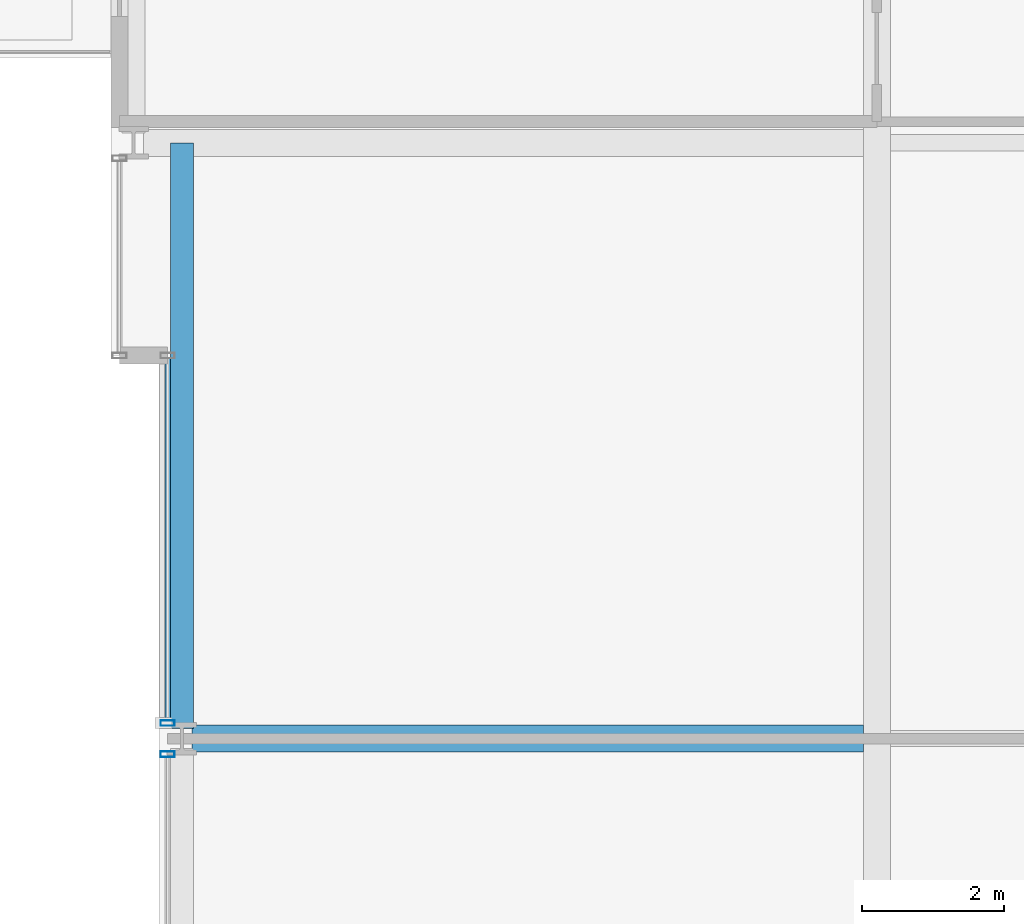
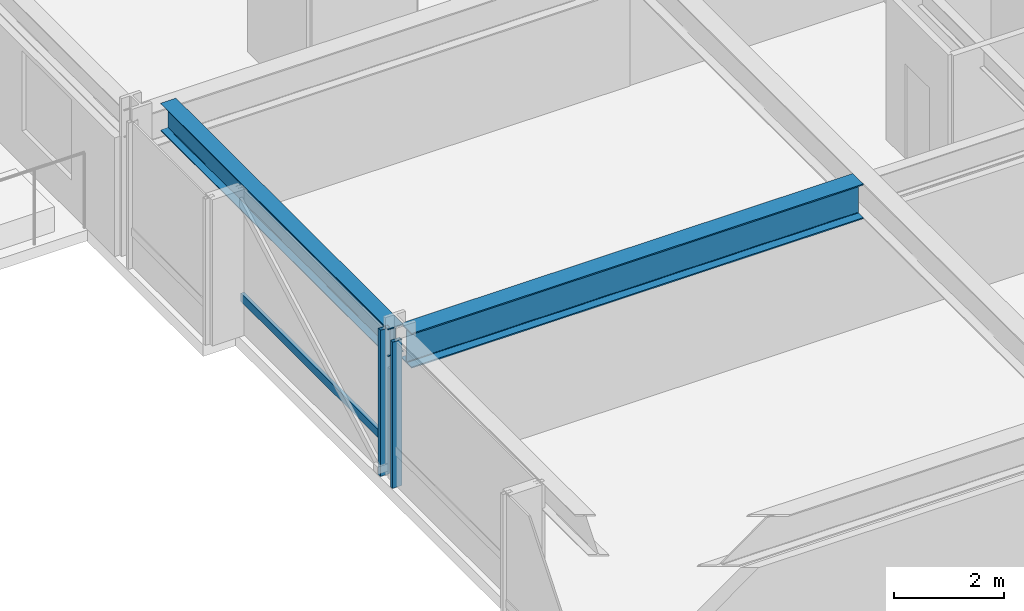
# One storey, part 9 of 34: 3 members, 2 beams, 2 elements without a shape of their own.
"""IFC4 building model written with IfcOpenShell, lengths in metres."""

from ifc_helpers import new_model, si_unit, direction, frame, origin, origin_2d, place, context, subcontext, project, spatial, hollow_rectangle, i_section, extrude, material, layer, layer_set, material_profile, profile_set, type_object, element, aggregate, save


model = new_model("IFC4")

# Units and contexts
model_context = context("Model", 3, precision=1e-05, world=origin(), true_north=direction((0.0, 1.0)))
body_context = subcontext(model_context, "Body", "Model", "MODEL_VIEW")
ifc_project = project(units=[si_unit("LENGTHUNIT", "METRE"), si_unit("AREAUNIT", "SQUARE_METRE"), si_unit("VOLUMEUNIT", "CUBIC_METRE"), si_unit("PLANEANGLEUNIT", "RADIAN"), si_unit("MASSUNIT", "GRAM", prefix="KILO")], contexts=[model_context])

# Site, building, storey
site_placement = place(None, origin())
site = spatial("IfcSite", under=ifc_project, at=site_placement, CompositionType="ELEMENT")
building_placement = place(site_placement, origin())
building = spatial("IfcBuilding", under=site, at=building_placement, Name="Drelvath Grand Hotel", CompositionType="ELEMENT")
storey_placement = place(building_placement, frame((0.0, 0.0, 102.300048828125)))
storey = spatial("IfcBuildingStorey", under=building, at=storey_placement, Name="L25", CompositionType="ELEMENT", Elevation=102.300048828125)

# Curtain wall, member
ifc_material_1 = material(Name="Champagne Bronze Anodised Aluminium Frame", Category="aluminium")
ifc_layer = layer(ifc_material_1, 0.199951171875)
ifc_layer_set = layer_set([ifc_layer], Name="Champagne Bronze Anodised Aluminium Frame")
curtain_wall_type = type_object("IfcCurtainWallType", Name="Stick Curtain Wall CW-03 Champagne Bronze Mid-Rise", PredefinedType="NOTDEFINED", material=ifc_layer_set)
curtain_wall_1_placement = place(storey_placement, origin())
curtain_wall_1 = element("IfcCurtainWall", 1, at=curtain_wall_1_placement, inside=storey, type_object=curtain_wall_type, Name="L25 CW-03 Curtain Wall CW03-L25-WM2", PredefinedType="NOTDEFINED")
ifc_material_profile_1 = material_profile(ifc_material_1, hollow_rectangle(XDim=0.074951171875, YDim=0.179931640625, WallThickness=0.0048828125, at=origin_2d()), Name="HSS180X75X5")
ifc_profile_set_1 = profile_set([ifc_material_profile_1], Name="Champagne Bronze Anodised Aluminium Frame")
member_type_1 = type_object("IfcMemberType", Name="Curtain Wall Horizontal Transom CW-03 HSS180X75X5", PredefinedType="USERDEFINED", material=ifc_profile_set_1)
member_1_placement = place(storey_placement, frame((-26.199951171875, 27.259521484375, 0.81005859375), z_axis=(0.0, 1.0, 0.0), x_axis=(-1.0, 0.0, 0.0)))
member_1 = element("IfcMember", 2, at=member_1_placement, type_object=member_type_1, Name="CW03-L25-WM2 Sill Transom", ObjectType="TRANSOM", PredefinedType="USERDEFINED", context=body_context, shape_type="SweptSolid", body=[
    extrude(hollow_rectangle(XDim=0.074951171875, YDim=0.179931640625, WallThickness=0.0048828125, at=origin_2d()), origin(), (0.0, 0.0, 1.0), 5.1005859375),
])

curtain_wall_2_placement = place(storey_placement, origin())
curtain_wall_2 = element("IfcCurtainWall", 3, at=curtain_wall_2_placement, inside=storey, type_object=curtain_wall_type, Name="L25 CW-03 Curtain Wall CW03-L25-WM1", PredefinedType="NOTDEFINED")
ifc_material_profile_2 = material_profile(ifc_material_1, hollow_rectangle(XDim=0.080078125, YDim=0.199951171875, WallThickness=0.0048828125, at=origin_2d()), Name="HSS200X80X5")
ifc_profile_set_2 = profile_set([ifc_material_profile_2], Name="Champagne Bronze Anodised Aluminium Frame")
member_type_2 = type_object("IfcMemberType", Name="Curtain Wall Vertical Mullion CW-03 HSS200X80X5", PredefinedType="MULLION", material=ifc_profile_set_2)
member_2_placement = place(storey_placement, frame((-26.199951171875, 26.780517578125, 0.0), z_axis=(0.0, 0.0, 1.0), x_axis=(0.0, 1.0, 0.0)))
member_2 = element("IfcMember", 4, at=member_2_placement, type_object=member_type_2, Name="CW03-L25-WM1 Mullion 2", PredefinedType="MULLION", context=body_context, shape_type="SweptSolid", body=[
    extrude(hollow_rectangle(XDim=0.080078125, YDim=0.199951171875, WallThickness=0.0048828125, at=origin_2d()), origin(), (0.0, 0.0, 1.0), 3.239990234375),
])
aggregate(curtain_wall_2, [member_2])

# Member
member_3_placement = place(storey_placement, frame((-26.199951171875, 27.219482421875, 0.0), z_axis=(0.0, 0.0, 1.0), x_axis=(0.0, 1.0, 0.0)))
member_3 = element("IfcMember", 5, at=member_3_placement, type_object=member_type_2, Name="CW03-L25-WM2 Mullion 1", PredefinedType="MULLION", context=body_context, shape_type="SweptSolid", body=[
    extrude(hollow_rectangle(XDim=0.080078125, YDim=0.199951171875, WallThickness=0.0048828125, at=origin_2d()), origin(), (0.0, 0.0, 1.0), 3.239990234375),
])

aggregate(curtain_wall_1, [member_3, member_1])

# Beams
ifc_material_2 = material(Name="Steel ASTM A992 Gr 50", Category="steel")
ifc_material_profile_3 = material_profile(ifc_material_2, i_section(OverallWidth=0.323974609375, OverallDepth=0.611083984375, WebThickness=0.0126953125, FlangeThickness=0.01904296875, FilletRadius=0.02197265625, at=origin_2d()), Name="W24X104")
ifc_profile_set_3 = profile_set([ifc_material_profile_3], Name="Steel ASTM A992 Gr 50")
beam_type_1 = type_object("IfcBeamType", Name="Perimeter Spandrel Beam W24X104", PredefinedType="SPANDREL", material=ifc_profile_set_3)
beam_1_placement = place(storey_placement, frame((-26.0, 27.139892578125, 2.9345703125), z_axis=(0.0, 1.0, 0.0), x_axis=(-1.0, 0.0, 0.0)))
element("IfcBeam", 6, at=beam_1_placement, inside=storey, type_object=beam_type_1, Name="L25 Spandrel West Mid N", PredefinedType="SPANDREL", context=body_context, shape_type="SweptSolid", body=[
    extrude(i_section(OverallWidth=0.323974609375, OverallDepth=0.611083984375, WebThickness=0.0126953125, FlangeThickness=0.01904296875, FilletRadius=0.02197265625, at=origin_2d()), origin(), (0.0, 0.0, 1.0), 8.260009765625),
])
ifc_material_profile_4 = material_profile(ifc_material_2, i_section(OverallWidth=0.380615234375, OverallDepth=0.773193359375, WebThickness=0.0166015625, FlangeThickness=0.027099609375, FilletRadius=0.02490234375, at=origin_2d()), Name="W30X173")
ifc_profile_set_4 = profile_set([ifc_material_profile_4], Name="Steel ASTM A992 Gr 50")
beam_type_2 = type_object("IfcBeamType", Name="Primary Floor Girder W30X173", PredefinedType="BEAM", material=ifc_profile_set_4)
beam_2_placement = place(storey_placement, frame((-25.860107421875, 27.0, 2.853271484375), z_axis=(1.0, 0.0, 0.0), x_axis=(0.0, 1.0, 0.0)))
element("IfcBeam", 7, at=beam_2_placement, inside=storey, type_object=beam_type_2, Name="L25 West Wing Girder E", PredefinedType="BEAM", context=body_context, shape_type="SweptSolid", body=[
    extrude(i_section(OverallWidth=0.380615234375, OverallDepth=0.773193359375, WebThickness=0.0166015625, FlangeThickness=0.027099609375, FilletRadius=0.02490234375, at=origin_2d()), origin(), (0.0, 0.0, 1.0), 9.4697265625),
])

save(model, "model.ifc")
